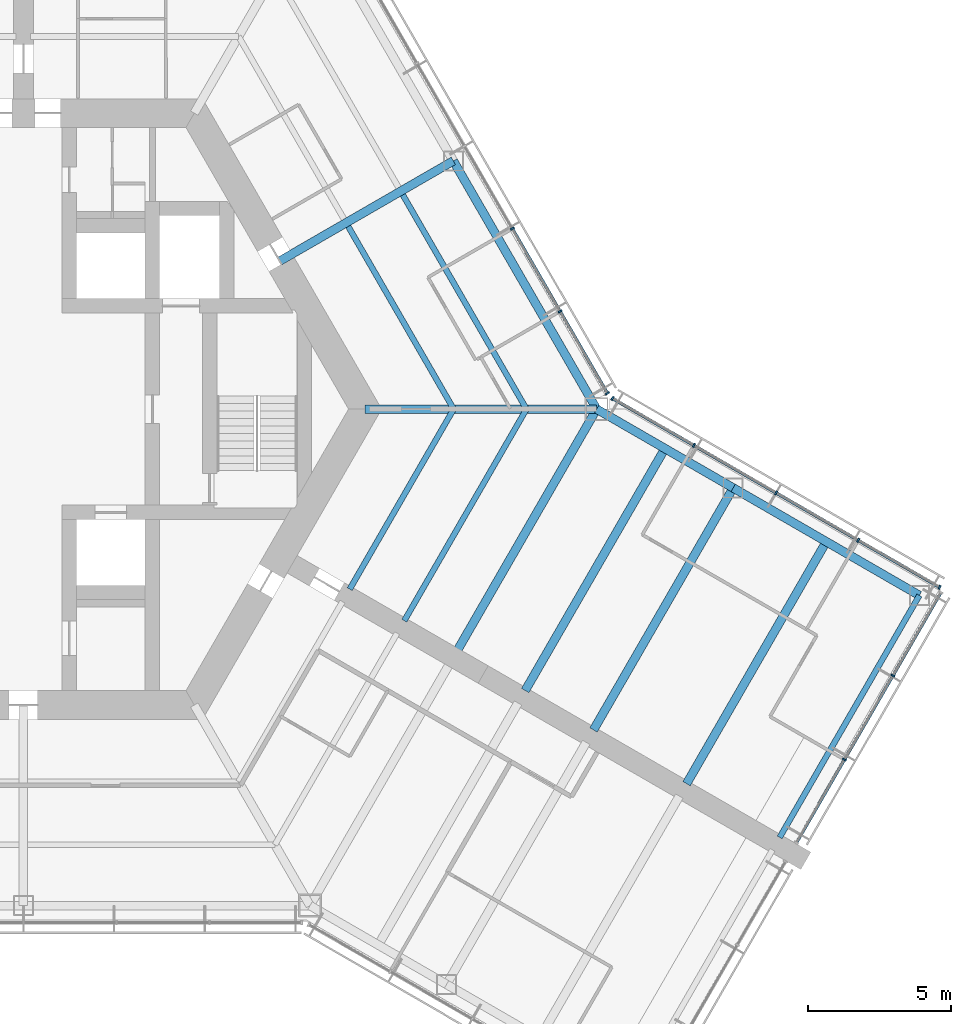
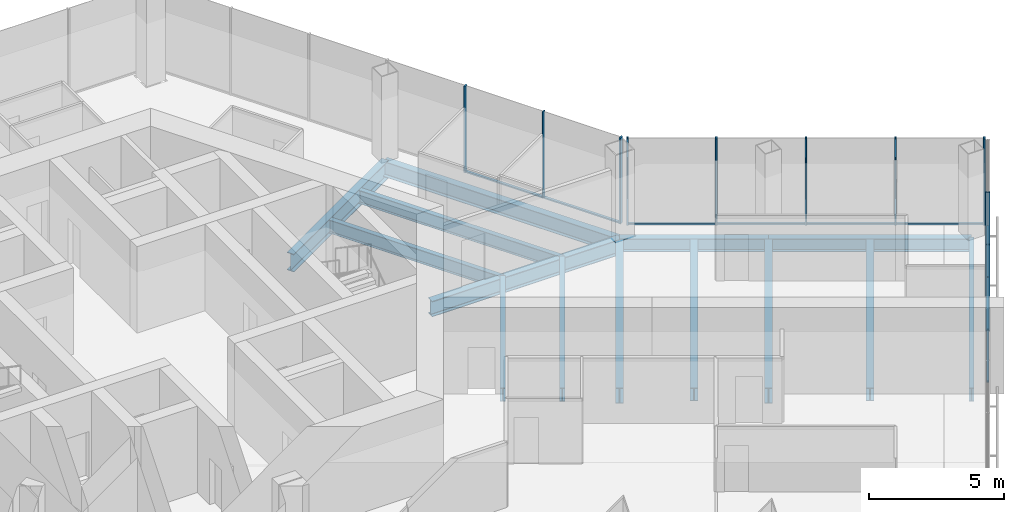
# One storey, part 6 of 18: 19 members, 14 beams, 3 elements without a shape of their own.
"""IFC4 building model written with IfcOpenShell, lengths in metres."""

from ifc_helpers import new_model, si_unit, direction, frame, origin, origin_2d, place, context, subcontext, project, spatial, rectangle, i_section, extrude, material, material_profile, profile_set, type_object, element, aggregate, save


model = new_model("IFC4")

# Units and contexts
model_context = context("Model", 3, precision=1e-05, world=origin(), true_north=direction((0.0, 1.0)))
body_context = subcontext(model_context, "Body", "Model", "MODEL_VIEW")
ifc_project = project(units=[si_unit("LENGTHUNIT", "METRE"), si_unit("AREAUNIT", "SQUARE_METRE"), si_unit("VOLUMEUNIT", "CUBIC_METRE"), si_unit("PLANEANGLEUNIT", "RADIAN"), si_unit("MASSUNIT", "GRAM", prefix="KILO")], contexts=[model_context])

# Site, building, storey
site_placement = place(None, origin())
site = spatial("IfcSite", under=ifc_project, at=site_placement, CompositionType="ELEMENT")
building_placement = place(site_placement, origin())
building = spatial("IfcBuilding", under=site, at=building_placement, Name="Kasaneha Research Tower", CompositionType="ELEMENT")
storey_placement = place(building_placement, frame((0.0, 0.0, 137.0)))
storey = spatial("IfcBuildingStorey", under=building, at=storey_placement, Name="L34", CompositionType="ELEMENT", Elevation=137.0)

# Beams
ifc_material_1 = material(Name="Steel SN490B", Category="steel")
ifc_material_profile_1 = material_profile(ifc_material_1, i_section(OverallWidth=0.199951171875, OverallDepth=0.60009765625, WebThickness=0.010986328125, FlangeThickness=0.01708984375, FilletRadius=0.012939453125, at=origin_2d()), Name="H-600x200x11x17")
ifc_profile_set_1 = profile_set([ifc_material_profile_1], Name="Steel SN490B")
beam_type_1 = type_object("IfcBeamType", Name="B1-3 secondary beam H-600x200x11x17", PredefinedType="JOIST", material=ifc_profile_set_1)
beam_1_placement = place(storey_placement, frame((15.010986328125, 0.0, -0.449951171875), z_axis=(-0.499994443168, 0.866028611999, 0.0), x_axis=(-0.866028611999, -0.499994443168, 0.0)))
element("IfcBeam", 1, at=beam_1_placement, inside=storey, type_object=beam_type_1, Name="Secondary beam RS030L1 L34", PredefinedType="JOIST", context=body_context, shape_type="SweptSolid", body=[
    extrude(i_section(OverallWidth=0.199951171875, OverallDepth=0.60009765625, WebThickness=0.010986328125, FlangeThickness=0.01708984375, FilletRadius=0.012939453125, at=origin_2d()), origin(), (0.0, 0.0, 1.0), 7.35546875),
])
beam_2_placement = place(storey_placement, frame((17.551513671875, 0.0, -0.449951171875), z_axis=(-0.5000050195, 0.866022505755, 0.0), x_axis=(-0.866022505755, -0.5000050195, 0.0)))
element("IfcBeam", 2, at=beam_2_placement, inside=storey, type_object=beam_type_1, Name="Secondary beam RS030L2 L34", PredefinedType="JOIST", context=body_context, shape_type="SweptSolid", body=[
    extrude(i_section(OverallWidth=0.199951171875, OverallDepth=0.60009765625, WebThickness=0.010986328125, FlangeThickness=0.01708984375, FilletRadius=0.012939453125, at=origin_2d()), origin(), (0.0, 0.0, 1.0), 8.6259765625),
])
beam_3_placement = place(storey_placement, frame((15.010986328125, 0.0, -0.449951171875), z_axis=(-0.499993340521, -0.866029248602, 0.0), x_axis=(0.866029248602, -0.499993340521, 0.0)))
element("IfcBeam", 3, at=beam_3_placement, inside=storey, type_object=beam_type_1, Name="Secondary beam RS330R1 L34", PredefinedType="JOIST", context=body_context, shape_type="SweptSolid", body=[
    extrude(i_section(OverallWidth=0.199951171875, OverallDepth=0.60009765625, WebThickness=0.010986328125, FlangeThickness=0.01708984375, FilletRadius=0.012939453125, at=origin_2d()), origin(), (0.0, 0.0, 1.0), 7.25537109375),
])
beam_4_placement = place(storey_placement, frame((17.551513671875, 0.0, -0.449951171875), z_axis=(-0.500004205306, -0.866022975836, 0.0), x_axis=(0.866022975836, -0.500004205306, 0.0)))
element("IfcBeam", 4, at=beam_4_placement, inside=storey, type_object=beam_type_1, Name="Secondary beam RS330R2 L34", PredefinedType="JOIST", context=body_context, shape_type="SweptSolid", body=[
    extrude(i_section(OverallWidth=0.199951171875, OverallDepth=0.60009765625, WebThickness=0.010986328125, FlangeThickness=0.01708984375, FilletRadius=0.012939453125, at=origin_2d()), origin(), (0.0, 0.0, 1.0), 8.52587890625),
])
ifc_material_2 = material(Name="Steel SN490B", Category="steel")
ifc_material_profile_2 = material_profile(ifc_material_2, i_section(OverallWidth=0.300048828125, OverallDepth=0.58203125, WebThickness=0.011962890625, FlangeThickness=0.01708984375, FilletRadius=0.012939453125, at=origin_2d()), Name="H-582x300x12x17")
ifc_profile_set_2 = profile_set([ifc_material_profile_2], Name="Steel SN490B")
beam_type_2 = type_object("IfcBeamType", Name="B2-3 secondary beam H-582x300x12x17", PredefinedType="JOIST", material=ifc_profile_set_2)
for number, where, z_axis, x_axis, name in (
    (5, (22.381591796875, -1.375, -0.44091796875), (-0.499995560238, -0.866027967067, 0.0), (0.866027967067, -0.499995560238, 0.0), "Secondary beam WBCN1 L34"),
    (6, (28.0107421875, -4.625, -0.44091796875), (-0.499995560238, -0.866027967067, 0.0), (0.866027967067, -0.499995560238, 0.0), "Secondary beam WBCN2 L34"),
):
    element("IfcBeam", number, at=place(storey_placement, frame(where, z_axis=z_axis, x_axis=x_axis)), inside=storey, type_object=beam_type_2, Name=name, PredefinedType="JOIST", context=body_context, shape_type="SweptSolid", body=[
        extrude(i_section(OverallWidth=0.300048828125, OverallDepth=0.58203125, WebThickness=0.011962890625, FlangeThickness=0.01708984375, FilletRadius=0.012939453125, at=origin_2d()), origin(), (0.0, 0.0, 1.0), 9.75),
    ])

# Curtain wall, members
ifc_material_3 = material(Name="Glass and aluminium", Category="aluminium")
curtain_wall_type = type_object("IfcCurtainWallType", Name="Mid-rise office curtain wall", PredefinedType="USERDEFINED", material=ifc_material_3)
curtain_wall_1_placement = place(storey_placement, origin())
curtain_wall_1 = element("IfcCurtainWall", 7, at=curtain_wall_1_placement, inside=storey, type_object=curtain_wall_type, Name="CW-O2 L34 run 04a", ObjectType="UNITISED CURTAIN WALL", PredefinedType="USERDEFINED")
ifc_material_4 = material(Name="Aluminium 6063-T6", Category="aluminium")
ifc_material_profile_3 = material_profile(ifc_material_4, rectangle(XDim=0.06005859375, YDim=0.14990234375, at=origin_2d()), Name="CW-O2 mullion 60x150")
ifc_profile_set_3 = profile_set([ifc_material_profile_3], Name="Aluminium 6063-T6")
member_type_1 = type_object("IfcMemberType", Name="CW-O2 mullion", PredefinedType="MULLION", material=ifc_profile_set_3)
member_1_placement = place(storey_placement, frame((28.64453125, -12.22705078125, 0.0), z_axis=(0.0, 0.0, 1.0), x_axis=(0.500000011442, 0.866025397178, 0.0)))
member_1 = element("IfcMember", 8, at=member_1_placement, type_object=member_type_1, Name="CW-O2 mullion 2", PredefinedType="MULLION", context=body_context, shape_type="SweptSolid", body=[
    extrude(rectangle(XDim=0.06005859375, YDim=0.14990234375, at=origin_2d()), origin(), (0.0, 0.0, 1.0), 3.89990234375),
])
member_2_placement = place(storey_placement, frame((30.336181640625, -9.297119140625, 0.0), z_axis=(0.0, 0.0, 1.0), x_axis=(0.500000011442, 0.866025397178, 0.0)))
member_2 = element("IfcMember", 9, at=member_2_placement, type_object=member_type_1, Name="CW-O2 mullion 3", PredefinedType="MULLION", context=body_context, shape_type="SweptSolid", body=[
    extrude(rectangle(XDim=0.06005859375, YDim=0.14990234375, at=origin_2d()), origin(), (0.0, 0.0, 1.0), 3.89990234375),
])

curtain_wall_2_placement = place(storey_placement, origin())
curtain_wall_2 = element("IfcCurtainWall", 10, at=curtain_wall_2_placement, inside=storey, type_object=curtain_wall_type, Name="CW-O2 L34 run 05a", ObjectType="UNITISED CURTAIN WALL", PredefinedType="USERDEFINED")
member_3_placement = place(storey_placement, frame((31.96533203125, -6.21533203125, 0.0), z_axis=(0.0, 0.0, 1.0), x_axis=(-0.866025411464, 0.499999986699, 0.0)))
member_3 = element("IfcMember", 11, at=member_3_placement, type_object=member_type_1, Name="CW-O2 mullion 1", PredefinedType="MULLION", context=body_context, shape_type="SweptSolid", body=[
    extrude(rectangle(XDim=0.06005859375, YDim=0.14990234375, at=origin_2d()), origin(), (0.0, 0.0, 1.0), 3.89990234375),
])
member_4_placement = place(storey_placement, frame((29.125, -4.575439453125, 0.0), z_axis=(0.0, 0.0, 1.0), x_axis=(-0.866025411464, 0.499999986699, 0.0)))
member_4 = element("IfcMember", 12, at=member_4_placement, type_object=member_type_1, Name="CW-O2 mullion 2", PredefinedType="MULLION", context=body_context, shape_type="SweptSolid", body=[
    extrude(rectangle(XDim=0.06005859375, YDim=0.14990234375, at=origin_2d()), origin(), (0.0, 0.0, 1.0), 3.89990234375),
])
member_5_placement = place(storey_placement, frame((26.258544921875, -2.920654296875, 0.0), z_axis=(0.0, 0.0, 1.0), x_axis=(-0.866025411464, 0.499999986699, 0.0)))
member_5 = element("IfcMember", 13, at=member_5_placement, type_object=member_type_1, Name="CW-O2 mullion 3", PredefinedType="MULLION", context=body_context, shape_type="SweptSolid", body=[
    extrude(rectangle(XDim=0.06005859375, YDim=0.14990234375, at=origin_2d()), origin(), (0.0, 0.0, 1.0), 3.89990234375),
])
member_6_placement = place(storey_placement, frame((23.39208984375, -1.265625, 0.0), z_axis=(0.0, 0.0, 1.0), x_axis=(-0.866025411464, 0.499999986699, 0.0)))
member_6 = element("IfcMember", 14, at=member_6_placement, type_object=member_type_1, Name="CW-O2 mullion 4", PredefinedType="MULLION", context=body_context, shape_type="SweptSolid", body=[
    extrude(rectangle(XDim=0.06005859375, YDim=0.14990234375, at=origin_2d()), origin(), (0.0, 0.0, 1.0), 3.89990234375),
])
member_7_placement = place(storey_placement, frame((20.5517578125, 0.374267578125, 0.0), z_axis=(0.0, 0.0, 1.0), x_axis=(-0.866025411464, 0.499999986699, 0.0)))
member_7 = element("IfcMember", 15, at=member_7_placement, type_object=member_type_1, Name="CW-O2 mullion 5", PredefinedType="MULLION", context=body_context, shape_type="SweptSolid", body=[
    extrude(rectangle(XDim=0.06005859375, YDim=0.14990234375, at=origin_2d()), origin(), (0.0, 0.0, 1.0), 3.89990234375),
])

curtain_wall_3_placement = place(storey_placement, origin())
curtain_wall_3 = element("IfcCurtainWall", 16, at=curtain_wall_3_placement, inside=storey, type_object=curtain_wall_type, Name="CW-O2 L34 run 06a", ObjectType="UNITISED CURTAIN WALL", PredefinedType="USERDEFINED")
member_8_placement = place(storey_placement, frame((20.374267578125, 0.5517578125, 0.0), z_axis=(0.0, 0.0, 1.0), x_axis=(-0.499999979232, 0.866025415775, 0.0)))
member_8 = element("IfcMember", 17, at=member_8_placement, type_object=member_type_1, Name="CW-O2 mullion 1", PredefinedType="MULLION", context=body_context, shape_type="SweptSolid", body=[
    extrude(rectangle(XDim=0.06005859375, YDim=0.14990234375, at=origin_2d()), origin(), (0.0, 0.0, 1.0), 3.89990234375),
])
member_9_placement = place(storey_placement, frame((18.723876953125, 3.410400390625, 0.0), z_axis=(0.0, 0.0, 1.0), x_axis=(-0.499999979232, 0.866025415775, 0.0)))
member_9 = element("IfcMember", 18, at=member_9_placement, type_object=member_type_1, Name="CW-O2 mullion 2", PredefinedType="MULLION", context=body_context, shape_type="SweptSolid", body=[
    extrude(rectangle(XDim=0.06005859375, YDim=0.14990234375, at=origin_2d()), origin(), (0.0, 0.0, 1.0), 3.89990234375),
])
member_10_placement = place(storey_placement, frame((17.058349609375, 6.295166015625, 0.0), z_axis=(0.0, 0.0, 1.0), x_axis=(-0.499999979232, 0.866025415775, 0.0)))
member_10 = element("IfcMember", 19, at=member_10_placement, type_object=member_type_1, Name="CW-O2 mullion 3", PredefinedType="MULLION", context=body_context, shape_type="SweptSolid", body=[
    extrude(rectangle(XDim=0.06005859375, YDim=0.14990234375, at=origin_2d()), origin(), (0.0, 0.0, 1.0), 3.89990234375),
])

# Member
ifc_material_5 = material(Name="Aluminium 6063-T6", Category="aluminium")
ifc_material_profile_4 = material_profile(ifc_material_5, rectangle(XDim=0.110107421875, YDim=0.06005859375, at=origin_2d()), Name="CW-O2 transom 110x60")
ifc_profile_set_4 = profile_set([ifc_material_profile_4], Name="Aluminium 6063-T6")
member_type_2 = type_object("IfcMemberType", Name="CW-O2 transom", PredefinedType="USERDEFINED", material=ifc_profile_set_4)
member_11_placement = place(storey_placement, frame((26.98291015625, -15.105224609375, 0.030029296875), z_axis=(0.500021914551, 0.866012751043, 0.0), x_axis=(-0.866012751043, 0.500021914551, 0.0)))
member_11 = element("IfcMember", 20, at=member_11_placement, type_object=member_type_2, Name="CW-O2 transom 1", ObjectType="TRANSOM", PredefinedType="USERDEFINED", context=body_context, shape_type="SweptSolid", body=[
    extrude(rectangle(XDim=0.110107421875, YDim=0.06005859375, at=origin_2d()), origin(), (0.0, 0.0, 1.0), 3.293212890625),
])

member_12_placement = place(storey_placement, frame((28.65966796875, -12.201171875, 0.030029296875), z_axis=(0.499978935311, 0.866037565146, 0.0), x_axis=(-0.866037565146, 0.499978935311, 0.0)))
member_12 = element("IfcMember", 21, at=member_12_placement, type_object=member_type_2, Name="CW-O2 transom 2", ObjectType="TRANSOM", PredefinedType="USERDEFINED", context=body_context, shape_type="SweptSolid", body=[
    extrude(rectangle(XDim=0.110107421875, YDim=0.06005859375, at=origin_2d()), origin(), (0.0, 0.0, 1.0), 3.323486328125),
])

member_13_placement = place(storey_placement, frame((30.351318359375, -9.27099609375, 0.030029296875), z_axis=(0.500021914551, 0.866012751043, 0.0), x_axis=(-0.866012751043, 0.500021914551, 0.0)))
member_13 = element("IfcMember", 22, at=member_13_placement, type_object=member_type_2, Name="CW-O2 transom 3", ObjectType="TRANSOM", PredefinedType="USERDEFINED", context=body_context, shape_type="SweptSolid", body=[
    extrude(rectangle(XDim=0.110107421875, YDim=0.06005859375, at=origin_2d()), origin(), (0.0, 0.0, 1.0), 3.293212890625),
])

aggregate(curtain_wall_1, [member_1, member_2, member_11, member_12, member_13])

member_14_placement = place(storey_placement, frame((31.939453125, -6.200439453125, 0.030029296875), z_axis=(-0.866041647767, 0.499971863542, 0.0), x_axis=(-0.499971863542, -0.866041647767, 0.0)))
member_14 = element("IfcMember", 23, at=member_14_placement, type_object=member_type_2, Name="CW-O2 transom 1", ObjectType="TRANSOM", PredefinedType="USERDEFINED", context=body_context, shape_type="SweptSolid", body=[
    extrude(rectangle(XDim=0.110107421875, YDim=0.06005859375, at=origin_2d()), origin(), (0.0, 0.0, 1.0), 3.219970703125),
])

member_15_placement = place(storey_placement, frame((29.098876953125, -4.560546875, 0.030029296875), z_axis=(-0.86599666273, 0.500049777664, 0.0), x_axis=(-0.500049777664, -0.86599666273, 0.0)))
member_15 = element("IfcMember", 24, at=member_15_placement, type_object=member_type_2, Name="CW-O2 transom 2", ObjectType="TRANSOM", PredefinedType="USERDEFINED", context=body_context, shape_type="SweptSolid", body=[
    extrude(rectangle(XDim=0.110107421875, YDim=0.06005859375, at=origin_2d()), origin(), (0.0, 0.0, 1.0), 3.249755859375),
])

member_16_placement = place(storey_placement, frame((26.232666015625, -2.905517578125, 0.030029296875), z_axis=(-0.86604797581, 0.499960902066, 0.0), x_axis=(-0.499960902066, -0.86604797581, 0.0)))
member_16 = element("IfcMember", 25, at=member_16_placement, type_object=member_type_2, Name="CW-O2 transom 3", ObjectType="TRANSOM", PredefinedType="USERDEFINED", context=body_context, shape_type="SweptSolid", body=[
    extrude(rectangle(XDim=0.110107421875, YDim=0.06005859375, at=origin_2d()), origin(), (0.0, 0.0, 1.0), 3.249755859375),
])

member_17_placement = place(storey_placement, frame((23.3662109375, -1.250732421875, 0.030029296875), z_axis=(-0.866022692473, 0.500004696101, 0.0), x_axis=(-0.500004696101, -0.866022692473, 0.0)))
member_17 = element("IfcMember", 26, at=member_17_placement, type_object=member_type_2, Name="CW-O2 transom 4", ObjectType="TRANSOM", PredefinedType="USERDEFINED", context=body_context, shape_type="SweptSolid", body=[
    extrude(rectangle(XDim=0.110107421875, YDim=0.06005859375, at=origin_2d()), origin(), (0.0, 0.0, 1.0), 3.2197265625),
])

aggregate(curtain_wall_2, [member_3, member_4, member_5, member_6, member_7, member_14, member_15, member_16, member_17])

member_18_placement = place(storey_placement, frame((20.359130859375, 0.577880859375, 0.030029296875), z_axis=(-0.499987643696, 0.866032537582, 0.0), x_axis=(-0.866032537582, -0.499987643696, 0.0)))
member_18 = element("IfcMember", 27, at=member_18_placement, type_object=member_type_2, Name="CW-O2 transom 1", ObjectType="TRANSOM", PredefinedType="USERDEFINED", context=body_context, shape_type="SweptSolid", body=[
    extrude(rectangle(XDim=0.110107421875, YDim=0.06005859375, at=origin_2d()), origin(), (0.0, 0.0, 1.0), 3.24072265625),
])

member_19_placement = place(storey_placement, frame((18.708740234375, 3.4365234375, 0.030029296875), z_axis=(-0.500000270186, 0.866025247793, 0.0), x_axis=(-0.866025247793, -0.500000270186, 0.0)))
member_19 = element("IfcMember", 28, at=member_19_placement, type_object=member_type_2, Name="CW-O2 transom 2", ObjectType="TRANSOM", PredefinedType="USERDEFINED", context=body_context, shape_type="SweptSolid", body=[
    extrude(rectangle(XDim=0.110107421875, YDim=0.06005859375, at=origin_2d()), origin(), (0.0, 0.0, 1.0), 3.27099609375),
])

aggregate(curtain_wall_3, [member_8, member_9, member_10, member_18, member_19])

# Beams
ifc_material_6 = material(Name="Steel SN490B", Category="steel")
ifc_material_profile_5 = material_profile(ifc_material_6, i_section(OverallWidth=0.300048828125, OverallDepth=0.699951171875, WebThickness=0.012939453125, FlangeThickness=0.02392578125, FilletRadius=0.01806640625, at=origin_2d()), Name="H-700x300x13x24")
ifc_profile_set_5 = profile_set([ifc_material_profile_5], Name="Steel SN490B")
beam_type_3 = type_object("IfcBeamType", Name="G1-3 radial girder H-700x300x13x24", PredefinedType="BEAM", material=ifc_profile_set_5)
beam_5_placement = place(storey_placement, frame((11.92236328125, 0.0, -0.5), z_axis=(1.0, 0.0, 0.0), x_axis=(0.0, 1.0, 0.0)))
element("IfcBeam", 29, at=beam_5_placement, inside=storey, type_object=beam_type_3, Name="Radial girder RV000 L34", PredefinedType="BEAM", context=body_context, shape_type="SweptSolid", body=[
    extrude(i_section(OverallWidth=0.300048828125, OverallDepth=0.699951171875, WebThickness=0.012939453125, FlangeThickness=0.02392578125, FilletRadius=0.01806640625, at=origin_2d()), origin(), (0.0, 0.0, 1.0), 8.07763671875),
])
ifc_material_7 = material(Name="Steel SN490B", Category="steel")
ifc_material_profile_6 = material_profile(ifc_material_7, i_section(OverallWidth=0.300048828125, OverallDepth=0.800048828125, WebThickness=0.013916015625, FlangeThickness=0.02587890625, FilletRadius=0.01806640625, at=origin_2d()), Name="H-800x300x14x26")
ifc_profile_set_6 = profile_set([ifc_material_profile_6], Name="Steel SN490B")
beam_type_4 = type_object("IfcBeamType", Name="G2-3 radial girder H-800x300x14x26", PredefinedType="BEAM", material=ifc_profile_set_6)
beam_6_placement = place(storey_placement, frame((8.941650390625, 5.16259765625, -0.550048828125), z_axis=(0.866039713508, 0.499975214012, 0.0), x_axis=(-0.499975214012, 0.866039713508, 0.0)))
element("IfcBeam", 30, at=beam_6_placement, inside=storey, type_object=beam_type_4, Name="Radial girder RM030 L34", PredefinedType="BEAM", context=body_context, shape_type="SweptSolid", body=[
    extrude(i_section(OverallWidth=0.300048828125, OverallDepth=0.800048828125, WebThickness=0.013916015625, FlangeThickness=0.02587890625, FilletRadius=0.01806640625, at=origin_2d()), origin(), (0.0, 0.0, 1.0), 6.995361328125),
])
ifc_material_8 = material(Name="Steel SN490B", Category="steel")
ifc_material_profile_7 = material_profile(ifc_material_8, i_section(OverallWidth=0.300048828125, OverallDepth=0.69189453125, WebThickness=0.012939453125, FlangeThickness=0.02001953125, FilletRadius=0.01806640625, at=origin_2d()), Name="H-692x300x13x20")
ifc_profile_set_7 = profile_set([ifc_material_profile_7], Name="Steel SN490B")
beam_type_5 = type_object("IfcBeamType", Name="G3-3 plate edge girder H-692x300x13x20", PredefinedType="BEAM", material=ifc_profile_set_7)
beam_7_placement = place(storey_placement, frame((20.0, 0.0, -0.49609375), z_axis=(-0.499995560238, -0.866027967067, 0.0), x_axis=(0.866027967067, -0.499995560238, 0.0)))
element("IfcBeam", 31, at=beam_7_placement, inside=storey, type_object=beam_type_5, Name="Plate edge girder PECN L34", PredefinedType="BEAM", context=body_context, shape_type="SweptSolid", body=[
    extrude(i_section(OverallWidth=0.300048828125, OverallDepth=0.69189453125, WebThickness=0.012939453125, FlangeThickness=0.02001953125, FilletRadius=0.01806640625, at=origin_2d()), origin(), (0.0, 0.0, 1.0), 9.75),
])
ifc_material_9 = material(Name="Steel SN490B", Category="steel")
ifc_material_profile_8 = material_profile(ifc_material_9, i_section(OverallWidth=0.300048828125, OverallDepth=0.699951171875, WebThickness=0.012939453125, FlangeThickness=0.02392578125, FilletRadius=0.01806640625, at=origin_2d()), Name="H-700x300x13x24")
ifc_profile_set_8 = profile_set([ifc_material_profile_8], Name="Steel SN490B")
beam_type_6 = type_object("IfcBeamType", Name="G4-3 wing girder H-700x300x13x24", PredefinedType="BEAM", material=ifc_profile_set_8)
beam_8_placement = place(storey_placement, frame((24.76318359375, -2.75, -0.5), z_axis=(-0.499995560238, -0.866027967067, 0.0), x_axis=(0.866027967067, -0.499995560238, 0.0)))
element("IfcBeam", 32, at=beam_8_placement, inside=storey, type_object=beam_type_6, Name="Wing girder WGCN L34", PredefinedType="BEAM", context=body_context, shape_type="SweptSolid", body=[
    extrude(i_section(OverallWidth=0.300048828125, OverallDepth=0.699951171875, WebThickness=0.012939453125, FlangeThickness=0.02392578125, FilletRadius=0.01806640625, at=origin_2d()), origin(), (0.0, 0.0, 1.0), 9.75),
])
ifc_material_10 = material(Name="Steel SN490B", Category="steel")
ifc_material_profile_9 = material_profile(ifc_material_10, i_section(OverallWidth=0.300048828125, OverallDepth=0.69189453125, WebThickness=0.012939453125, FlangeThickness=0.02001953125, FilletRadius=0.01806640625, at=origin_2d()), Name="H-692x300x13x20")
ifc_profile_set_9 = profile_set([ifc_material_profile_9], Name="Steel SN490B")
beam_type_7 = type_object("IfcBeamType", Name="SB1-3 spandrel beam H-692x300x13x20", PredefinedType="SPANDREL", material=ifc_profile_set_9)
beam_9_placement = place(storey_placement, frame((20.0, 0.0, -0.49609375), z_axis=(-0.500004234368, 0.866022959057, 0.0), x_axis=(-0.866022959057, -0.500004234368, 0.0)))
element("IfcBeam", 33, at=beam_9_placement, inside=storey, type_object=beam_type_7, Name="Spandrel beam SR030L L34", PredefinedType="SPANDREL", context=body_context, shape_type="SweptSolid", body=[
    extrude(i_section(OverallWidth=0.300048828125, OverallDepth=0.69189453125, WebThickness=0.012939453125, FlangeThickness=0.02001953125, FilletRadius=0.01806640625, at=origin_2d()), origin(), (0.0, 0.0, 1.0), 10.0),
])
ifc_material_11 = material(Name="Steel SN490B", Category="steel")
ifc_material_profile_10 = material_profile(ifc_material_11, i_section(OverallWidth=0.300048828125, OverallDepth=0.58203125, WebThickness=0.011962890625, FlangeThickness=0.01708984375, FilletRadius=0.012939453125, at=origin_2d()), Name="H-582x300x12x17")
ifc_profile_set_10 = profile_set([ifc_material_profile_10], Name="Steel SN490B")
beam_type_8 = type_object("IfcBeamType", Name="SB2-3 spandrel beam H-582x300x12x17", PredefinedType="SPANDREL", material=ifc_profile_set_10)
beam_10_placement = place(storey_placement, frame((20.0, 0.0, -0.44091796875), z_axis=(0.866027397988, -0.499996545922, 0.0), x_axis=(0.499996545922, 0.866027397988, 0.0)))
element("IfcBeam", 34, at=beam_10_placement, inside=storey, type_object=beam_type_8, Name="Spandrel beam WSCN1 L34", PredefinedType="SPANDREL", context=body_context, shape_type="SweptSolid", body=[
    extrude(i_section(OverallWidth=0.300048828125, OverallDepth=0.58203125, WebThickness=0.011962890625, FlangeThickness=0.01708984375, FilletRadius=0.012939453125, at=origin_2d()), origin(), (0.0, 0.0, 1.0), 5.5),
])
beam_11_placement = place(storey_placement, frame((24.76318359375, -2.75, -0.44091796875), z_axis=(0.866022959057, -0.500004234368, 0.0), x_axis=(0.500004234368, 0.866022959057, 0.0)))
element("IfcBeam", 35, at=beam_11_placement, inside=storey, type_object=beam_type_8, Name="Spandrel beam WSCN2 L34", PredefinedType="SPANDREL", context=body_context, shape_type="SweptSolid", body=[
    extrude(i_section(OverallWidth=0.300048828125, OverallDepth=0.58203125, WebThickness=0.011962890625, FlangeThickness=0.01708984375, FilletRadius=0.012939453125, at=origin_2d()), origin(), (0.0, 0.0, 1.0), 7.5),
])
ifc_material_12 = material(Name="Steel SN490B", Category="steel")
ifc_material_profile_11 = material_profile(ifc_material_12, i_section(OverallWidth=0.199951171875, OverallDepth=0.60009765625, WebThickness=0.010986328125, FlangeThickness=0.01708984375, FilletRadius=0.012939453125, at=origin_2d()), Name="H-600x200x11x17")
ifc_profile_set_11 = profile_set([ifc_material_profile_11], Name="Steel SN490B")
beam_type_9 = type_object("IfcBeamType", Name="SB3-3 spandrel beam H-600x200x11x17", PredefinedType="SPANDREL", material=ifc_profile_set_11)
beam_12_placement = place(storey_placement, frame((31.25830078125, -6.5, -0.449951171875), z_axis=(-0.499995560238, -0.866027967067, 0.0), x_axis=(0.866027967067, -0.499995560238, 0.0)))
element("IfcBeam", 36, at=beam_12_placement, inside=storey, type_object=beam_type_9, Name="Spandrel beam WTCN L34", PredefinedType="SPANDREL", context=body_context, shape_type="SweptSolid", body=[
    extrude(i_section(OverallWidth=0.199951171875, OverallDepth=0.60009765625, WebThickness=0.010986328125, FlangeThickness=0.01708984375, FilletRadius=0.012939453125, at=origin_2d()), origin(), (0.0, 0.0, 1.0), 9.75),
])

save(model, "model.ifc")
